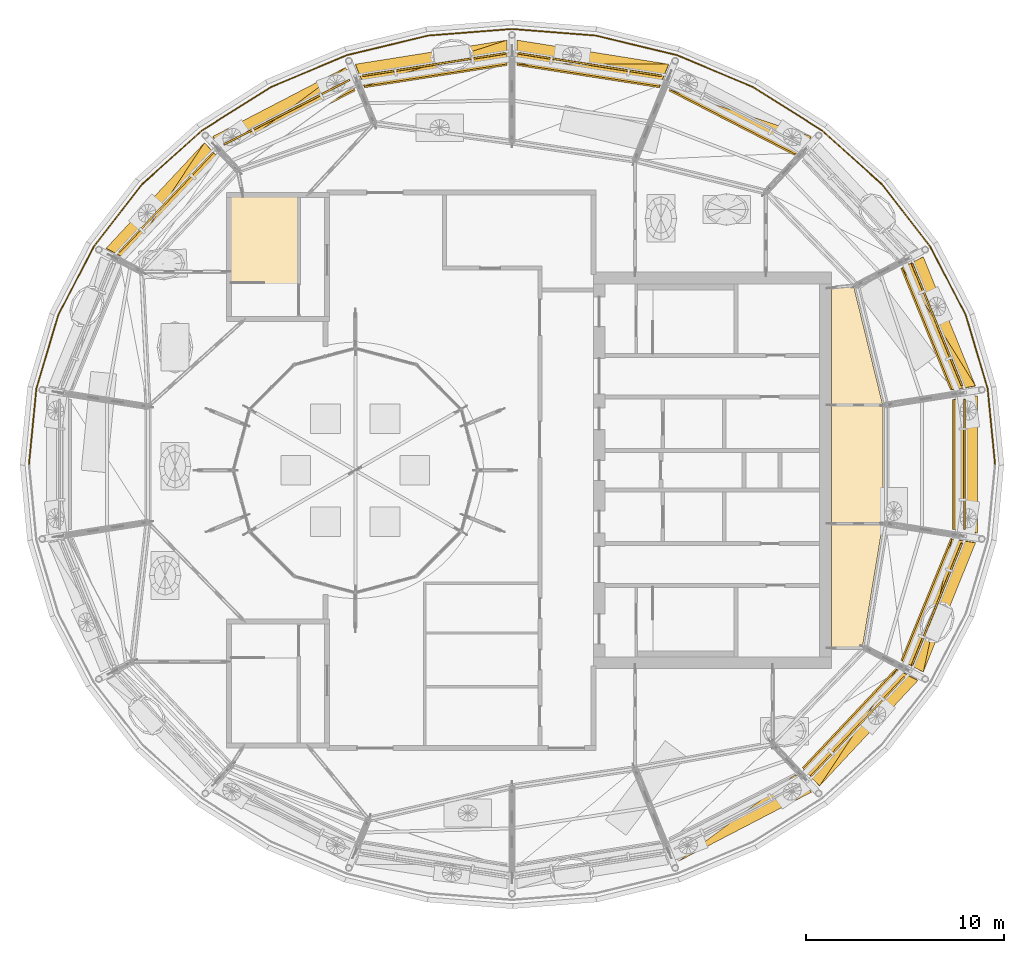
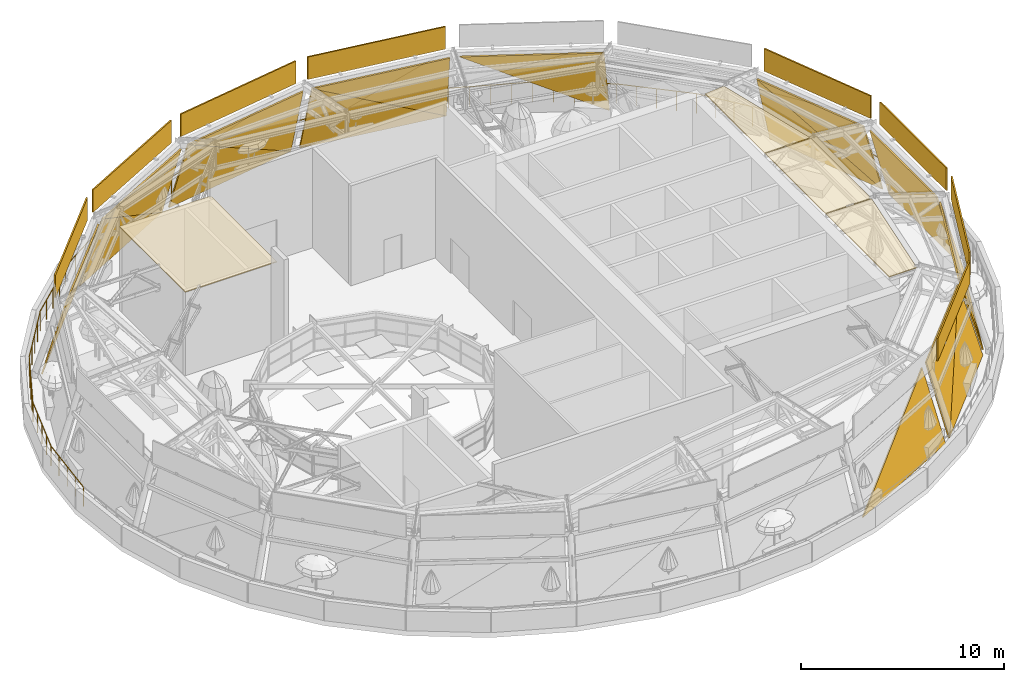
# One storey, part 30 of 40: 25 shading devices, 4 coverings, 1 railing.
"""IFC4 building model written with IfcOpenShell, lengths in metres."""

from ifc_helpers import new_model, si_unit, direction, frame, origin, origin_2d, place, context, subcontext, project, spatial, polyline, circle, outline, extrude, material, layer, layer_set, type_object, element, save


model = new_model("IFC4")

# Units and contexts
model_context = context("Model", 3, precision=1e-05, world=origin(), true_north=direction((0.0, 1.0)))
body_context = subcontext(model_context, "Body", "Model", "MODEL_VIEW")
ifc_project = project(units=[si_unit("LENGTHUNIT", "METRE"), si_unit("AREAUNIT", "SQUARE_METRE"), si_unit("VOLUMEUNIT", "CUBIC_METRE"), si_unit("PLANEANGLEUNIT", "RADIAN"), si_unit("MASSUNIT", "GRAM", prefix="KILO")], contexts=[model_context])

# Site, building, storey
site_placement = place(None, origin())
site = spatial("IfcSite", under=ifc_project, at=site_placement, CompositionType="ELEMENT")
building_placement = place(site_placement, origin())
building = spatial("IfcBuilding", under=site, at=building_placement, Name="Taillehof Tower", CompositionType="ELEMENT")
storey_placement = place(building_placement, frame((0.0, 0.0, 275.199951171875)))
storey = spatial("IfcBuildingStorey", under=building, at=storey_placement, Name="L77", CompositionType="ELEMENT", Elevation=275.199951171875)

# Coverings
ifc_material_1 = material(Name="Aluminium standing-seam roof deck", Category="aluminium")
ifc_layer_1 = layer(ifc_material_1, 0.050048828125)
ifc_layer_set_1 = layer_set([ifc_layer_1], Name="Canopy roof closure 50")
covering_type_1 = type_object("IfcCoveringType", Name="Canopy roof closure 50", PredefinedType="MEMBRANE", material=ifc_layer_set_1)
covering_1_placement = place(storey_placement, frame((0.0, 0.0, 5.199951171875)))
element("IfcCovering", 1, at=covering_1_placement, inside=storey, type_object=covering_type_1, Name="Canopy roof closure 1", PredefinedType="MEMBRANE", context=body_context, shape_type="SweptSolid", body=[
    extrude(outline(polyline([(18.583251953125, 3.321044921875), (16.0, 3.321044921875), (16.0, 9.199951171875), (16.0029296875, 9.170166015625), (17.123291015625, 9.281494140625), (18.583251953125, 3.321044921875)])), origin(), (0.0, 0.0, 1.0), 0.050048828125),
])
covering_2_placement = place(storey_placement, frame((0.0, 0.0, 5.199951171875)))
element("IfcCovering", 2, at=covering_2_placement, inside=storey, type_object=covering_type_1, Name="Canopy roof closure 2", PredefinedType="MEMBRANE", context=body_context, shape_type="SweptSolid", body=[
    extrude(outline(polyline([(17.56396484375, -8.927001953125), (16.0, -8.927001953125), (16.0, -2.720947265625), (18.587890625, -2.720947265625), (17.56396484375, -8.927001953125)])), origin(), (0.0, 0.0, 1.0), 0.050048828125),
])
covering_3_placement = place(storey_placement, frame((0.0, 0.0, 5.199951171875)))
element("IfcCovering", 3, at=covering_3_placement, inside=storey, type_object=covering_type_1, Name="Canopy roof closure 3", PredefinedType="MEMBRANE", context=body_context, shape_type="SweptSolid", body=[
    extrude(outline(polyline([(18.594970703125, -2.660888671875), (16.0, -2.660888671875), (16.0, 3.260986328125), (18.594970703125, 3.260986328125), (18.594970703125, -2.660888671875)])), origin(), (0.0, 0.0, 1.0), 0.050048828125),
])

# Shading devices
ifc_material_2 = material(Name="Aluminium louvre blades with fritted glass backing", Category="aluminium")
ifc_layer_2 = layer(ifc_material_2, 0.080078125)
ifc_layer_set_2 = layer_set([ifc_layer_2], Name="Crown louvre screen 80")
shading_device_type = type_object("IfcShadingDeviceType", Name="Crown louvre screen 80", PredefinedType="USERDEFINED", material=ifc_layer_set_2)
shading_device_1_placement = place(storey_placement, frame((23.2685546875, 4.254638671875, 0.0), z_axis=(0.893311716163, 0.361190879536, 0.26746088743), x_axis=(-0.374847037796, 0.927086672461, 0.0)))
element("IfcShadingDevice", 4, at=shading_device_1_placement, inside=storey, type_object=shading_device_type, Name="Crown louvre screen 1", ObjectType="LOUVER", PredefinedType="USERDEFINED", context=body_context, shape_type="SweptSolid", body=[
    extrude(outline(polyline([(0.0, 0.0), (7.021744372311923, 0.0), (6.908135769837484, 4.462628092026669), (0.0, 0.0)])), origin(), (0.0, 0.0, -1.0), 0.080078125),
])
shading_device_2_placement = place(storey_placement, frame((23.2685546875, 4.254638671875, 0.0), z_axis=(0.893324907725, 0.364718738149, 0.262584941078), x_axis=(-0.44941112906, 0.7243299788, 0.522853439205)))
element("IfcShadingDevice", 5, at=shading_device_2_placement, inside=storey, type_object=shading_device_type, Name="Crown louvre screen 1", ObjectType="LOUVER", PredefinedType="USERDEFINED", context=body_context, shape_type="SweptSolid", body=[
    extrude(outline(polyline([(0.0, 0.0), (8.224195358954804, -4.440892098500626e-16), (2.6452323707459877, 3.596899479284679), (0.0, 0.0)])), origin(), (0.0, 0.0, -1.0), 0.080078125),
])
shading_device_3_placement = place(storey_placement, frame((22.619384765625, 4.28369140625, 4.449951171875), z_axis=(0.925799840719, 0.378014093553, 0.0), x_axis=(-0.378014093553, 0.925799840719, 0.0)))
element("IfcShadingDevice", 6, at=shading_device_3_placement, inside=storey, type_object=shading_device_type, Name="Crown louvre fascia 1", ObjectType="LOUVER", PredefinedType="USERDEFINED", context=body_context, shape_type="SweptSolid", body=[
    extrude(outline(polyline([(0.0, 0.0), (6.638052354520533, 0.0), (6.638052354520533, 1.35009765625), (0.0, 1.35009765625), (0.0, 0.0)])), origin(), (0.0, 0.0, -1.0), 0.080078125),
])
shading_device_4_placement = place(storey_placement, frame((14.991455078125, 16.828125, 0.0), z_axis=(0.441108552462, 0.859061887278, 0.259684267469), x_axis=(-0.824313156078, 0.273410659956, 0.495736252194)))
element("IfcShadingDevice", 7, at=shading_device_4_placement, inside=storey, type_object=shading_device_type, Name="Crown louvre screen 3", ObjectType="LOUVER", PredefinedType="USERDEFINED", context=body_context, shape_type="SweptSolid", body=[
    extrude(outline(polyline([(0.0, 0.0), (8.67406571356404, 4.440892098500626e-16), (2.566241147024425, 3.653583518316843), (0.0, 0.0)])), origin(), (0.0, 0.0, -1.0), 0.080078125),
])
shading_device_5_placement = place(storey_placement, frame((7.795166015625, 20.473876953125, 0.0), z_axis=(0.151171065448, 0.952158447279, 0.26559668719), x_axis=(-0.987629938417, 0.156802757446, 0.0)))
element("IfcShadingDevice", 8, at=shading_device_5_placement, inside=storey, type_object=shading_device_type, Name="Crown louvre screen 4", ObjectType="LOUVER", PredefinedType="USERDEFINED", context=body_context, shape_type="SweptSolid", body=[
    extrude(outline(polyline([(0.0, 0.0), (7.728907847291047, 0.0), (7.540828758587093, 4.4602418551730985), (0.0, 0.0)])), origin(), (0.0, 0.0, -1.0), 0.080078125),
])
shading_device_6_placement = place(storey_placement, frame((7.795166015625, 20.473876953125, 0.0), z_axis=(0.149338565616, 0.953349667199, 0.262340246382), x_axis=(-0.871266384913, 0.001421179096, 0.490808380908)))
element("IfcShadingDevice", 9, at=shading_device_6_placement, inside=storey, type_object=shading_device_type, Name="Crown louvre screen 4", ObjectType="LOUVER", PredefinedType="USERDEFINED", context=body_context, shape_type="SweptSolid", body=[
    extrude(outline(polyline([(0.0, 0.0), (8.761156075140548, 4.440892098500626e-16), (2.5009458559600284, 3.698169006168684), (0.0, 0.0)])), origin(), (0.0, 0.0, -1.0), 0.080078125),
])
shading_device_7_placement = place(storey_placement, frame((7.43603515625, 19.93408203125, 4.449951171875), z_axis=(0.154731288742, 0.987956592308, 0.0), x_axis=(-0.987956592308, 0.154731288742, 0.0)))
element("IfcShadingDevice", 10, at=shading_device_7_placement, inside=storey, type_object=shading_device_type, Name="Crown louvre fascia 4", ObjectType="LOUVER", PredefinedType="USERDEFINED", context=body_context, shape_type="SweptSolid", body=[
    extrude(outline(polyline([(0.0, 0.0), (7.270669100927792, 0.0), (7.270669100927792, 1.35009765625), (0.0, 1.35009765625), (0.0, 0.0)])), origin(), (0.0, 0.0, -1.0), 0.080078125),
])
shading_device_8_placement = place(storey_placement, frame((-0.36181640625, 21.685791015625, 0.0), z_axis=(-0.151305811682, 0.953007153111, 0.262457458401), x_axis=(-0.987629938417, -0.156802757446, 0.0)))
element("IfcShadingDevice", 11, at=shading_device_8_placement, inside=storey, type_object=shading_device_type, Name="Crown louvre screen 5", ObjectType="LOUVER", PredefinedType="USERDEFINED", context=body_context, shape_type="SweptSolid", body=[
    extrude(outline(polyline([(0.0, 0.0), (7.728907847291047, -5.551115123125783e-17), (7.4590116050878645, 4.45626976192812), (0.0, 0.0)])), origin(), (0.0, 0.0, -1.0), 0.080078125),
])
shading_device_9_placement = place(storey_placement, frame((-0.36181640625, 21.685791015625, 0.0), z_axis=(-0.149197207713, 0.952447264598, 0.265677250382), x_axis=(-0.826736953503, -0.267552230271, 0.494895760529)))
element("IfcShadingDevice", 12, at=shading_device_9_placement, inside=storey, type_object=shading_device_type, Name="Crown louvre screen 5", ObjectType="LOUVER", PredefinedType="USERDEFINED", context=body_context, shape_type="SweptSolid", body=[
    extrude(outline(polyline([(0.0, 0.0), (8.688797058046088, -4.440892098500626e-16), (2.44899490662102, 3.732499845624908), (0.0, 0.0)])), origin(), (0.0, 0.0, -1.0), 0.080078125),
])
shading_device_10_placement = place(storey_placement, frame((-0.452880859375, 21.05908203125, 4.449951171875), z_axis=(-0.154731288742, 0.987956592308, 0.0), x_axis=(-0.987956592308, -0.154731288742, 0.0)))
element("IfcShadingDevice", 13, at=shading_device_10_placement, inside=storey, type_object=shading_device_type, Name="Crown louvre fascia 5", ObjectType="LOUVER", PredefinedType="USERDEFINED", context=body_context, shape_type="SweptSolid", body=[
    extrude(outline(polyline([(0.0, 0.0), (7.270669100927792, 0.0), (7.270669100927792, 1.35009765625), (0.0, 1.35009765625), (0.0, 0.0)])), origin(), (0.0, 0.0, -1.0), 0.080078125),
])
shading_device_11_placement = place(storey_placement, frame((-8.49072265625, 20.310546875, 0.0), z_axis=(-0.445289305902, 0.856801057893, 0.260018040227), x_axis=(-0.887321585278, -0.461151172936, 0.0)))
element("IfcShadingDevice", 14, at=shading_device_11_placement, inside=storey, type_object=shading_device_type, Name="Crown louvre screen 6", ObjectType="LOUVER", PredefinedType="USERDEFINED", context=body_context, shape_type="SweptSolid", body=[
    extrude(outline(polyline([(0.0, 0.0), (7.551584121164838, 0.0), (7.230536740279585, 4.453222959747742), (0.0, 0.0)])), origin(), (0.0, 0.0, -1.0), 0.080078125),
])
shading_device_12_placement = place(storey_placement, frame((-8.49072265625, 20.310546875, 0.0), z_axis=(-0.440156809635, 0.857175306958, 0.267418167058), x_axis=(-0.692643190482, -0.513646158109, 0.506372427111)))
element("IfcShadingDevice", 15, at=shading_device_12_placement, inside=storey, type_object=shading_device_type, Name="Crown louvre screen 6", ObjectType="LOUVER", PredefinedType="USERDEFINED", context=body_context, shape_type="SweptSolid", body=[
    extrude(outline(polyline([(0.0, 0.0), (8.491870010884373, 4.440892098500626e-16), (2.436856471586546, 3.7400418587176327), (0.0, 0.0)])), origin(), (0.0, 0.0, -1.0), 0.080078125),
])
shading_device_13_placement = place(storey_placement, frame((-8.308837890625, 19.71435546875, 4.449951171875), z_axis=(-0.456779007109, 0.889580203616, 0.0), x_axis=(-0.889580203616, -0.456779007109, 0.0)))
element("IfcShadingDevice", 16, at=shading_device_13_placement, inside=storey, type_object=shading_device_type, Name="Crown louvre fascia 6", ObjectType="LOUVER", PredefinedType="USERDEFINED", context=body_context, shape_type="SweptSolid", body=[
    extrude(outline(polyline([(0.0, 0.0), (7.117175947027116, 0.0), (7.117175947027116, 1.35009765625), (0.0, 1.35009765625), (0.0, 0.0)])), origin(), (0.0, 0.0, -1.0), 0.080078125),
])
shading_device_14_placement = place(storey_placement, frame((-15.6025390625, 16.515625, 0.0), z_axis=(-0.706357656002, 0.658394298923, 0.259953474594), x_axis=(-0.68183500741, -0.731505996333, 0.0)))
element("IfcShadingDevice", 17, at=shading_device_14_placement, inside=storey, type_object=shading_device_type, Name="Crown louvre screen 7", ObjectType="LOUVER", PredefinedType="USERDEFINED", context=body_context, shape_type="SweptSolid", body=[
    extrude(outline(polyline([(0.0, 0.0), (7.2744298600101995, 0.0), (6.952704671612215, 4.453142789026295), (0.0, 0.0)])), origin(), (0.0, 0.0, -1.0), 0.080078125),
])
shading_device_15_placement = place(storey_placement, frame((-15.6025390625, 16.515625, 0.0), z_axis=(-0.70114606652, 0.66076843684, 0.267916528566), x_axis=(-0.471601313665, -0.711586031309, 0.520804686035)))
element("IfcShadingDevice", 18, at=shading_device_15_placement, inside=storey, type_object=shading_device_type, Name="Crown louvre screen 7", ObjectType="LOUVER", PredefinedType="USERDEFINED", context=body_context, shape_type="SweptSolid", body=[
    extrude(outline(polyline([(0.0, 0.0), (8.256547883353866, 4.440892098500626e-16), (2.4783797767067046, 3.7126834298961766), (0.0, 0.0)])), origin(), (0.0, 0.0, -1.0), 0.080078125),
])
shading_device_16_placement = place(storey_placement, frame((-15.210205078125, 16.0341796875, 4.449951171875), z_axis=(-0.72775109812, 0.685841336743, 0.0), x_axis=(-0.685841336743, -0.72775109812, 0.0)))
element("IfcShadingDevice", 19, at=shading_device_16_placement, inside=storey, type_object=shading_device_type, Name="Crown louvre fascia 7", ObjectType="LOUVER", PredefinedType="USERDEFINED", context=body_context, shape_type="SweptSolid", body=[
    extrude(outline(polyline([(0.0, 0.0), (6.868132564190944, 0.0), (6.868132564190944, 1.35009765625), (0.0, 1.35009765625), (0.0, 0.0)])), origin(), (0.0, 0.0, -1.0), 0.080078125),
])
shading_device_17_placement = place(storey_placement, frame((8.290771484375, -19.71044921875, 0.0), z_axis=(0.445294937868, -0.85681189461, 0.259972682343), x_axis=(0.887321585278, 0.461151172936, 0.0)))
element("IfcShadingDevice", 20, at=shading_device_17_placement, inside=storey, type_object=shading_device_type, Name="Crown louvre screen 15", ObjectType="LOUVER", PredefinedType="USERDEFINED", context=body_context, shape_type="SweptSolid", body=[
    extrude(outline(polyline([(0.0, 0.0), (7.551584121164838, -1.1102230246251565e-16), (7.230424154544005, 4.453166636628535), (0.0, 0.0)])), origin(), (0.0, 0.0, -1.0), 0.080078125),
])
shading_device_18_placement = place(storey_placement, frame((15.402587890625, -15.91552734375, 0.0), z_axis=(0.706336028422, -0.658404347484, 0.259986788447), x_axis=(0.68185174698, 0.731490393061, 0.0)))
element("IfcShadingDevice", 21, at=shading_device_18_placement, inside=storey, type_object=shading_device_type, Name="Crown louvre screen 16", ObjectType="LOUVER", PredefinedType="USERDEFINED", context=body_context, shape_type="SweptSolid", body=[
    extrude(outline(polyline([(0.0, 0.0), (7.274251271583736, -1.1102230246251565e-16), (6.952678179100152, 4.453184151590835), (0.0, 0.0)])), origin(), (0.0, 0.0, -1.0), 0.080078125),
])
shading_device_19_placement = place(storey_placement, frame((15.402587890625, -15.91552734375, 0.0), z_axis=(0.70114606652, -0.66076843684, 0.267916528566), x_axis=(0.471601313665, 0.711586031309, 0.520804686035)))
element("IfcShadingDevice", 22, at=shading_device_19_placement, inside=storey, type_object=shading_device_type, Name="Crown louvre screen 16", ObjectType="LOUVER", PredefinedType="USERDEFINED", context=body_context, shape_type="SweptSolid", body=[
    extrude(outline(polyline([(0.0, 0.0), (8.256547883353866, 4.440892098500626e-16), (2.4783797767067046, 3.7126834298961766), (0.0, 0.0)])), origin(), (0.0, 0.0, -1.0), 0.080078125),
])
shading_device_20_placement = place(storey_placement, frame((15.010009765625, -15.43408203125, 4.449951171875), z_axis=(0.727733356091, -0.685860162447, 0.0), x_axis=(0.685860162447, 0.727733356091, 0.0)))
element("IfcShadingDevice", 23, at=shading_device_20_placement, inside=storey, type_object=shading_device_type, Name="Crown louvre fascia 16", ObjectType="LOUVER", PredefinedType="USERDEFINED", context=body_context, shape_type="SweptSolid", body=[
    extrude(outline(polyline([(0.0, 0.0), (6.868300008221636, 0.0), (6.868300008221636, 1.3500976562500002), (0.0, 1.3500976562500002), (0.0, 0.0)])), origin(), (0.0, 0.0, -1.0), 0.080078125),
])
shading_device_21_placement = place(storey_placement, frame((20.636474609375, -10.164306640625, 0.0), z_axis=(0.89451041746, -0.361675547954, 0.262758274977), x_axis=(0.374847037796, 0.927086672461, 0.0)))
element("IfcShadingDevice", 24, at=shading_device_21_placement, inside=storey, type_object=shading_device_type, Name="Crown louvre screen 17", ObjectType="LOUVER", PredefinedType="USERDEFINED", context=body_context, shape_type="SweptSolid", body=[
    extrude(outline(polyline([(0.0, 0.0), (7.021744372311923, -1.1102230246251565e-16), (6.751304315354227, 4.45664788433489), (0.0, 0.0)])), origin(), (0.0, 0.0, -1.0), 0.080078125),
])
shading_device_22_placement = place(storey_placement, frame((20.636474609375, -10.164306640625, 0.0), z_axis=(0.892068907658, -0.364205949627, 0.267520261374), x_axis=(0.178632594655, 0.827975204319, 0.531551932702)))
element("IfcShadingDevice", 25, at=shading_device_22_placement, inside=storey, type_object=shading_device_type, Name="Crown louvre screen 17", ObjectType="LOUVER", PredefinedType="USERDEFINED", context=body_context, shape_type="SweptSolid", body=[
    extrude(outline(polyline([(0.0, 0.0), (8.089611877183433, 4.440892098500626e-16), (2.5530886793324017, 3.661888142412276), (0.0, 0.0)])), origin(), (0.0, 0.0, -1.0), 0.080078125),
])
shading_device_23_placement = place(storey_placement, frame((20.110107421875, -9.8291015625, 4.449951171875), z_axis=(0.925799840719, -0.378014093553, 0.0), x_axis=(0.378014093553, 0.925799840719, 0.0)))
element("IfcShadingDevice", 26, at=shading_device_23_placement, inside=storey, type_object=shading_device_type, Name="Crown louvre fascia 17", ObjectType="LOUVER", PredefinedType="USERDEFINED", context=body_context, shape_type="SweptSolid", body=[
    extrude(outline(polyline([(0.0, 0.0), (6.638052354520533, 0.0), (6.638052354520533, 1.35009765625), (0.0, 1.35009765625), (0.0, 0.0)])), origin(), (0.0, 0.0, -1.0), 0.080078125),
])
shading_device_24_placement = place(storey_placement, frame((23.364990234375, -3.158935546875, 0.0), z_axis=(0.964003261541, 0.0, 0.265890413023), x_axis=(0.0, 1.0, 0.0)))
element("IfcShadingDevice", 27, at=shading_device_24_placement, inside=storey, type_object=shading_device_type, Name="Crown louvre screen 18", ObjectType="LOUVER", PredefinedType="USERDEFINED", context=body_context, shape_type="SweptSolid", body=[
    extrude(outline(polyline([(0.0, 0.0), (6.91796875, 0.0), (6.72998046875, 4.460616472654889), (0.18798828125, 4.460616472654889), (0.0, 0.0)])), origin(), (0.0, 0.0, -1.0), 0.080078125),
])
shading_device_25_placement = place(storey_placement, frame((22.759033203125, -2.970947265625, 4.449951171875), z_axis=(1.0, 0.0, 0.0), x_axis=(0.0, 1.0, 0.0)))
element("IfcShadingDevice", 28, at=shading_device_25_placement, inside=storey, type_object=shading_device_type, Name="Crown louvre fascia 18", ObjectType="LOUVER", PredefinedType="USERDEFINED", context=body_context, shape_type="SweptSolid", body=[
    extrude(outline(polyline([(0.0, 0.0), (6.5419921875, 0.0), (6.5419921875, 1.35009765625), (0.0, 1.35009765625), (0.0, 0.0)])), origin(), (0.0, 0.0, -1.0), 0.080078125),
])

# Covering
ifc_material_3 = material(Name="Aluminium standing-seam roof deck", Category="aluminium")
ifc_layer_3 = layer(ifc_material_3, 0.050048828125)
ifc_layer_set_3 = layer_set([ifc_layer_3], Name="Crown roof covering 50")
covering_type_2 = type_object("IfcCoveringType", Name="Crown roof covering 50", PredefinedType="MEMBRANE", material=ifc_layer_set_3)
covering_4_placement = place(storey_placement, frame((0.0, 0.0, 5.0)))
element("IfcCovering", 29, at=covering_4_placement, inside=storey, type_object=covering_type_2, Name="Roof covering stair tower S3", PredefinedType="MEMBRANE", context=body_context, shape_type="SweptSolid", body=[
    extrude(outline(polyline([(-9.300048828125, 7.5), (-14.5, 7.5), (-14.5, 14.0), (-9.300048828125, 14.0), (-9.300048828125, 7.5)])), origin(), (0.0, 0.0, 1.0), 0.050048828125),
])

# Railing
ifc_material_4 = material(Name="Stainless steel balustrade", Category="steel")
railing_type = type_object("IfcRailingType", Name="Roof terrace guard 1200", PredefinedType="GUARDRAIL", material=ifc_material_4)
railing_placement = place(storey_placement, frame((24.25, 0.300048828125, 0.0)))
element("IfcRailing", 30, at=railing_placement, inside=storey, type_object=railing_type, Name="Roof terrace guard", PredefinedType="GUARDRAIL", context=body_context, shape_type="SweptSolid", body=[
    extrude(circle(Radius=0.02392578125, at=origin_2d()), frame((0.0, 0.0, 1.17578125), z_axis=(-0.096718697772, 0.995311756939, 0.0), x_axis=(-0.995311756939, -0.096718697772, 0.0)), (0.0, 0.0, 1.0), 3.8369140625),
    extrude(circle(Radius=0.02392578125, at=origin_2d()), frame((-0.37109375, 3.81884765625, 1.17578125), z_axis=(-0.285323410626, 0.958431297146, 0.0), x_axis=(-0.958431297146, -0.285323410626, 0.0)), (0.0, 0.0, 1.0), 3.862548828125),
    extrude(circle(Radius=0.02392578125, at=origin_2d()), frame((-1.47314453125, 7.520751953125, 1.17578125), z_axis=(-0.460007249014, 0.887915159717, 0.0), x_axis=(-0.887915159717, -0.460007249014, 0.0)), (0.0, 0.0, 1.0), 3.909423828125),
    extrude(circle(Radius=0.02392578125, at=origin_2d()), frame((-3.271484375, 10.991943359375, 1.17578125), z_axis=(-0.614136349622, 0.789199939225, 0.0), x_axis=(-0.789199939225, -0.614136349622, 0.0)), (0.0, 0.0, 1.0), 3.9716796875),
    extrude(circle(Radius=0.02392578125, at=origin_2d()), frame((-5.710693359375, 14.12646484375, 1.17578125), z_axis=(-0.743396265935, 0.668851247882, 0.0), x_axis=(-0.668851247882, -0.743396265935, 0.0)), (0.0, 0.0, 1.0), 4.04150390625),
    extrude(circle(Radius=0.02392578125, at=origin_2d()), frame((-8.715087890625, 16.82958984375, 1.17578125), z_axis=(-0.846147510546, 0.532948769017, 0.0), x_axis=(-0.532948769017, -0.846147510546, 0.0)), (0.0, 0.0, 1.0), 4.109619140625),
    extrude(circle(Radius=0.02392578125, at=origin_2d()), frame((-12.1923828125, 19.019775390625, 1.17578125), z_axis=(-0.922201120378, 0.386710607008, 0.0), x_axis=(-0.386710607008, -0.922201120378, 0.0)), (0.0, 0.0, 1.0), 4.16796875),
    extrude(circle(Radius=0.02392578125, at=origin_2d()), frame((-16.0361328125, 20.631591796875, 1.17578125), z_axis=(-0.972177439699, 0.234245652555, 0.0), x_axis=(-0.234245652555, -0.972177439699, 0.0)), (0.0, 0.0, 1.0), 4.210693359375),
    extrude(circle(Radius=0.02392578125, at=origin_2d()), frame((-20.129638671875, 21.617919921875, 1.17578125), z_axis=(-0.996919662641, 0.078429498536, 0.0), x_axis=(-0.078429498536, -0.996919662641, 0.0)), (0.0, 0.0, 1.0), 4.2333984375),
    extrude(circle(Radius=0.02392578125, at=origin_2d()), frame((-24.35009765625, 21.949951171875, 1.17578125), z_axis=(-0.996919307879, -0.078434007793, 0.0), x_axis=(0.078434007793, -0.996919307879, 0.0)), (0.0, 0.0, 1.0), 4.233154296875),
    extrude(circle(Radius=0.02392578125, at=origin_2d()), frame((-28.5703125, 21.617919921875, 1.17578125), z_axis=(-0.972177439699, -0.234245652555, 0.0), x_axis=(0.234245652555, -0.972177439699, 0.0)), (0.0, 0.0, 1.0), 4.210693359375),
    extrude(circle(Radius=0.02392578125, at=origin_2d()), frame((-32.663818359375, 20.631591796875, 1.17578125), z_axis=(-0.922201120378, -0.386710607008, 0.0), x_axis=(0.386710607008, -0.922201120378, 0.0)), (0.0, 0.0, 1.0), 4.16796875),
    extrude(circle(Radius=0.02392578125, at=origin_2d()), frame((-36.507568359375, 19.019775390625, 1.17578125), z_axis=(-0.846147510546, -0.532948769017, 0.0), x_axis=(0.532948769017, -0.846147510546, 0.0)), (0.0, 0.0, 1.0), 4.109619140625),
    extrude(circle(Radius=0.02392578125, at=origin_2d()), frame((-39.98486328125, 16.82958984375, 1.17578125), z_axis=(-0.743396265935, -0.668851247882, 0.0), x_axis=(0.668851247882, -0.743396265935, 0.0)), (0.0, 0.0, 1.0), 4.04150390625),
    extrude(circle(Radius=0.02392578125, at=origin_2d()), frame((-42.9892578125, 14.12646484375, 1.17578125), z_axis=(-0.614136349622, -0.789199939225, 0.0), x_axis=(0.789199939225, -0.614136349622, 0.0)), (0.0, 0.0, 1.0), 3.9716796875),
    extrude(circle(Radius=0.02392578125, at=origin_2d()), frame((-45.428466796875, 10.991943359375, 1.17578125), z_axis=(-0.460007249014, -0.887915159717, 0.0), x_axis=(0.887915159717, -0.460007249014, 0.0)), (0.0, 0.0, 1.0), 3.909423828125),
    extrude(circle(Radius=0.02392578125, at=origin_2d()), frame((-47.226806640625, 7.520751953125, 1.17578125), z_axis=(-0.285323410626, -0.958431297146, 0.0), x_axis=(0.958431297146, -0.285323410626, 0.0)), (0.0, 0.0, 1.0), 3.862548828125),
    extrude(circle(Radius=0.02392578125, at=origin_2d()), frame((-48.328857421875, 3.81884765625, 1.17578125), z_axis=(-0.096718697772, -0.995311756939, 0.0), x_axis=(0.995311756939, -0.096718697772, 0.0)), (0.0, 0.0, 1.0), 3.8369140625),
    extrude(circle(Radius=0.02099609375, at=origin_2d()), origin(), (0.0, 0.0, 1.0), 1.15185546875),
    extrude(circle(Radius=0.02099609375, at=origin_2d()), frame((-0.0927734375, 0.95458984375, 0.0)), (0.0, 0.0, 1.0), 1.15185546875),
    extrude(circle(Radius=0.02099609375, at=origin_2d()), frame((-0.185546875, 1.909423828125, 0.0)), (0.0, 0.0, 1.0), 1.15185546875),
    extrude(circle(Radius=0.02099609375, at=origin_2d()), frame((-0.2783203125, 2.8642578125, 0.0)), (0.0, 0.0, 1.0), 1.15185546875),
    extrude(circle(Radius=0.02099609375, at=origin_2d()), frame((-0.37109375, 3.81884765625, 0.0)), (0.0, 0.0, 1.0), 1.15185546875),
    extrude(circle(Radius=0.02099609375, at=origin_2d()), frame((-0.646484375, 4.744384765625, 0.0)), (0.0, 0.0, 1.0), 1.15185546875),
    extrude(circle(Radius=0.02099609375, at=origin_2d()), frame((-0.922119140625, 5.669921875, 0.0)), (0.0, 0.0, 1.0), 1.15185546875),
    extrude(circle(Radius=0.02099609375, at=origin_2d()), frame((-1.19775390625, 6.59521484375, 0.0)), (0.0, 0.0, 1.0), 1.15185546875),
    extrude(circle(Radius=0.02099609375, at=origin_2d()), frame((-1.47314453125, 7.520751953125, 0.0)), (0.0, 0.0, 1.0), 1.15185546875),
    extrude(circle(Radius=0.02099609375, at=origin_2d()), frame((-1.9228515625, 8.388671875, 0.0)), (0.0, 0.0, 1.0), 1.15185546875),
    extrude(circle(Radius=0.02099609375, at=origin_2d()), frame((-2.372314453125, 9.25634765625, 0.0)), (0.0, 0.0, 1.0), 1.15185546875),
    extrude(circle(Radius=0.02099609375, at=origin_2d()), frame((-2.82177734375, 10.1240234375, 0.0)), (0.0, 0.0, 1.0), 1.15185546875),
    extrude(circle(Radius=0.02099609375, at=origin_2d()), frame((-3.271484375, 10.991943359375, 0.0)), (0.0, 0.0, 1.0), 1.15185546875),
    extrude(circle(Radius=0.02099609375, at=origin_2d()), frame((-3.88134765625, 11.775634765625, 0.0)), (0.0, 0.0, 1.0), 1.15185546875),
    extrude(circle(Radius=0.02099609375, at=origin_2d()), frame((-4.4912109375, 12.55908203125, 0.0)), (0.0, 0.0, 1.0), 1.15185546875),
    extrude(circle(Radius=0.02099609375, at=origin_2d()), frame((-5.100830078125, 13.3427734375, 0.0)), (0.0, 0.0, 1.0), 1.15185546875),
    extrude(circle(Radius=0.02099609375, at=origin_2d()), frame((-5.710693359375, 14.12646484375, 0.0)), (0.0, 0.0, 1.0), 1.15185546875),
    extrude(circle(Radius=0.02099609375, at=origin_2d()), frame((-6.4619140625, 14.80224609375, 0.0)), (0.0, 0.0, 1.0), 1.15185546875),
    extrude(circle(Radius=0.02099609375, at=origin_2d()), frame((-7.212890625, 15.47802734375, 0.0)), (0.0, 0.0, 1.0), 1.15185546875),
    extrude(circle(Radius=0.02099609375, at=origin_2d()), frame((-7.9638671875, 16.15380859375, 0.0)), (0.0, 0.0, 1.0), 1.15185546875),
    extrude(circle(Radius=0.02099609375, at=origin_2d()), frame((-8.715087890625, 16.82958984375, 0.0)), (0.0, 0.0, 1.0), 1.15185546875),
    extrude(circle(Radius=0.02099609375, at=origin_2d()), frame((-9.58447265625, 17.377197265625, 0.0)), (0.0, 0.0, 1.0), 1.15185546875),
    extrude(circle(Radius=0.02099609375, at=origin_2d()), frame((-10.45361328125, 17.9248046875, 0.0)), (0.0, 0.0, 1.0), 1.15185546875),
    extrude(circle(Radius=0.02099609375, at=origin_2d()), frame((-11.322998046875, 18.47216796875, 0.0)), (0.0, 0.0, 1.0), 1.15185546875),
    extrude(circle(Radius=0.02099609375, at=origin_2d()), frame((-12.1923828125, 19.019775390625, 0.0)), (0.0, 0.0, 1.0), 1.15185546875),
    extrude(circle(Radius=0.02099609375, at=origin_2d()), frame((-13.1533203125, 19.4228515625, 0.0)), (0.0, 0.0, 1.0), 1.15185546875),
    extrude(circle(Radius=0.02099609375, at=origin_2d()), frame((-14.1142578125, 19.82568359375, 0.0)), (0.0, 0.0, 1.0), 1.15185546875),
    extrude(circle(Radius=0.02099609375, at=origin_2d()), frame((-15.0751953125, 20.228515625, 0.0)), (0.0, 0.0, 1.0), 1.15185546875),
    extrude(circle(Radius=0.02099609375, at=origin_2d()), frame((-16.0361328125, 20.631591796875, 0.0)), (0.0, 0.0, 1.0), 1.15185546875),
    extrude(circle(Radius=0.02099609375, at=origin_2d()), frame((-17.0595703125, 20.878173828125, 0.0)), (0.0, 0.0, 1.0), 1.15185546875),
    extrude(circle(Radius=0.02099609375, at=origin_2d()), frame((-18.0830078125, 21.124755859375, 0.0)), (0.0, 0.0, 1.0), 1.15185546875),
    extrude(circle(Radius=0.02099609375, at=origin_2d()), frame((-19.106201171875, 21.371337890625, 0.0)), (0.0, 0.0, 1.0), 1.15185546875),
    extrude(circle(Radius=0.02099609375, at=origin_2d()), frame((-20.129638671875, 21.617919921875, 0.0)), (0.0, 0.0, 1.0), 1.15185546875),
    extrude(circle(Radius=0.02099609375, at=origin_2d()), frame((-21.184814453125, 21.700927734375, 0.0)), (0.0, 0.0, 1.0), 1.15185546875),
    extrude(circle(Radius=0.02099609375, at=origin_2d()), frame((-22.23974609375, 21.783935546875, 0.0)), (0.0, 0.0, 1.0), 1.15185546875),
    extrude(circle(Radius=0.02099609375, at=origin_2d()), frame((-23.294921875, 21.866943359375, 0.0)), (0.0, 0.0, 1.0), 1.15185546875),
    extrude(circle(Radius=0.02099609375, at=origin_2d()), frame((-24.35009765625, 21.949951171875, 0.0)), (0.0, 0.0, 1.0), 1.15185546875),
    extrude(circle(Radius=0.02099609375, at=origin_2d()), frame((-25.4052734375, 21.866943359375, 0.0)), (0.0, 0.0, 1.0), 1.15185546875),
    extrude(circle(Radius=0.02099609375, at=origin_2d()), frame((-26.460205078125, 21.783935546875, 0.0)), (0.0, 0.0, 1.0), 1.15185546875),
    extrude(circle(Radius=0.02099609375, at=origin_2d()), frame((-27.51513671875, 21.700927734375, 0.0)), (0.0, 0.0, 1.0), 1.15185546875),
    extrude(circle(Radius=0.02099609375, at=origin_2d()), frame((-28.5703125, 21.617919921875, 0.0)), (0.0, 0.0, 1.0), 1.15185546875),
    extrude(circle(Radius=0.02099609375, at=origin_2d()), frame((-29.59375, 21.371337890625, 0.0)), (0.0, 0.0, 1.0), 1.15185546875),
    extrude(circle(Radius=0.02099609375, at=origin_2d()), frame((-30.6171875, 21.124755859375, 0.0)), (0.0, 0.0, 1.0), 1.15185546875),
    extrude(circle(Radius=0.02099609375, at=origin_2d()), frame((-31.640380859375, 20.878173828125, 0.0)), (0.0, 0.0, 1.0), 1.15185546875),
    extrude(circle(Radius=0.02099609375, at=origin_2d()), frame((-32.663818359375, 20.631591796875, 0.0)), (0.0, 0.0, 1.0), 1.15185546875),
    extrude(circle(Radius=0.02099609375, at=origin_2d()), frame((-33.624755859375, 20.228515625, 0.0)), (0.0, 0.0, 1.0), 1.15185546875),
    extrude(circle(Radius=0.02099609375, at=origin_2d()), frame((-34.585693359375, 19.82568359375, 0.0)), (0.0, 0.0, 1.0), 1.15185546875),
    extrude(circle(Radius=0.02099609375, at=origin_2d()), frame((-35.546630859375, 19.4228515625, 0.0)), (0.0, 0.0, 1.0), 1.15185546875),
    extrude(circle(Radius=0.02099609375, at=origin_2d()), frame((-36.507568359375, 19.019775390625, 0.0)), (0.0, 0.0, 1.0), 1.15185546875),
    extrude(circle(Radius=0.02099609375, at=origin_2d()), frame((-37.376953125, 18.47216796875, 0.0)), (0.0, 0.0, 1.0), 1.15185546875),
    extrude(circle(Radius=0.02099609375, at=origin_2d()), frame((-38.24609375, 17.9248046875, 0.0)), (0.0, 0.0, 1.0), 1.15185546875),
    extrude(circle(Radius=0.02099609375, at=origin_2d()), frame((-39.115478515625, 17.377197265625, 0.0)), (0.0, 0.0, 1.0), 1.15185546875),
    extrude(circle(Radius=0.02099609375, at=origin_2d()), frame((-39.98486328125, 16.82958984375, 0.0)), (0.0, 0.0, 1.0), 1.15185546875),
    extrude(circle(Radius=0.02099609375, at=origin_2d()), frame((-40.73583984375, 16.15380859375, 0.0)), (0.0, 0.0, 1.0), 1.15185546875),
    extrude(circle(Radius=0.02099609375, at=origin_2d()), frame((-41.487060546875, 15.47802734375, 0.0)), (0.0, 0.0, 1.0), 1.15185546875),
    extrude(circle(Radius=0.02099609375, at=origin_2d()), frame((-42.23828125, 14.80224609375, 0.0)), (0.0, 0.0, 1.0), 1.15185546875),
    extrude(circle(Radius=0.02099609375, at=origin_2d()), frame((-42.9892578125, 14.12646484375, 0.0)), (0.0, 0.0, 1.0), 1.15185546875),
    extrude(circle(Radius=0.02099609375, at=origin_2d()), frame((-43.59912109375, 13.3427734375, 0.0)), (0.0, 0.0, 1.0), 1.15185546875),
    extrude(circle(Radius=0.02099609375, at=origin_2d()), frame((-44.208984375, 12.55908203125, 0.0)), (0.0, 0.0, 1.0), 1.15185546875),
    extrude(circle(Radius=0.02099609375, at=origin_2d()), frame((-44.818603515625, 11.775634765625, 0.0)), (0.0, 0.0, 1.0), 1.15185546875),
    extrude(circle(Radius=0.02099609375, at=origin_2d()), frame((-45.428466796875, 10.991943359375, 0.0)), (0.0, 0.0, 1.0), 1.15185546875),
    extrude(circle(Radius=0.02099609375, at=origin_2d()), frame((-45.8779296875, 10.1240234375, 0.0)), (0.0, 0.0, 1.0), 1.15185546875),
    extrude(circle(Radius=0.02099609375, at=origin_2d()), frame((-46.32763671875, 9.25634765625, 0.0)), (0.0, 0.0, 1.0), 1.15185546875),
    extrude(circle(Radius=0.02099609375, at=origin_2d()), frame((-46.77734375, 8.388671875, 0.0)), (0.0, 0.0, 1.0), 1.15185546875),
    extrude(circle(Radius=0.02099609375, at=origin_2d()), frame((-47.226806640625, 7.520751953125, 0.0)), (0.0, 0.0, 1.0), 1.15185546875),
    extrude(circle(Radius=0.02099609375, at=origin_2d()), frame((-47.50244140625, 6.59521484375, 0.0)), (0.0, 0.0, 1.0), 1.15185546875),
    extrude(circle(Radius=0.02099609375, at=origin_2d()), frame((-47.77783203125, 5.669921875, 0.0)), (0.0, 0.0, 1.0), 1.15185546875),
    extrude(circle(Radius=0.02099609375, at=origin_2d()), frame((-48.05322265625, 4.744384765625, 0.0)), (0.0, 0.0, 1.0), 1.15185546875),
    extrude(circle(Radius=0.02099609375, at=origin_2d()), frame((-48.328857421875, 3.81884765625, 0.0)), (0.0, 0.0, 1.0), 1.15185546875),
    extrude(circle(Radius=0.02099609375, at=origin_2d()), frame((-48.421630859375, 2.8642578125, 0.0)), (0.0, 0.0, 1.0), 1.15185546875),
    extrude(circle(Radius=0.02099609375, at=origin_2d()), frame((-48.514404296875, 1.909423828125, 0.0)), (0.0, 0.0, 1.0), 1.15185546875),
    extrude(circle(Radius=0.02099609375, at=origin_2d()), frame((-48.607177734375, 0.95458984375, 0.0)), (0.0, 0.0, 1.0), 1.15185546875),
    extrude(circle(Radius=0.02099609375, at=origin_2d()), frame((-48.699951171875, 0.0, 0.0)), (0.0, 0.0, 1.0), 1.15185546875),
])

save(model, "model.ifc")
